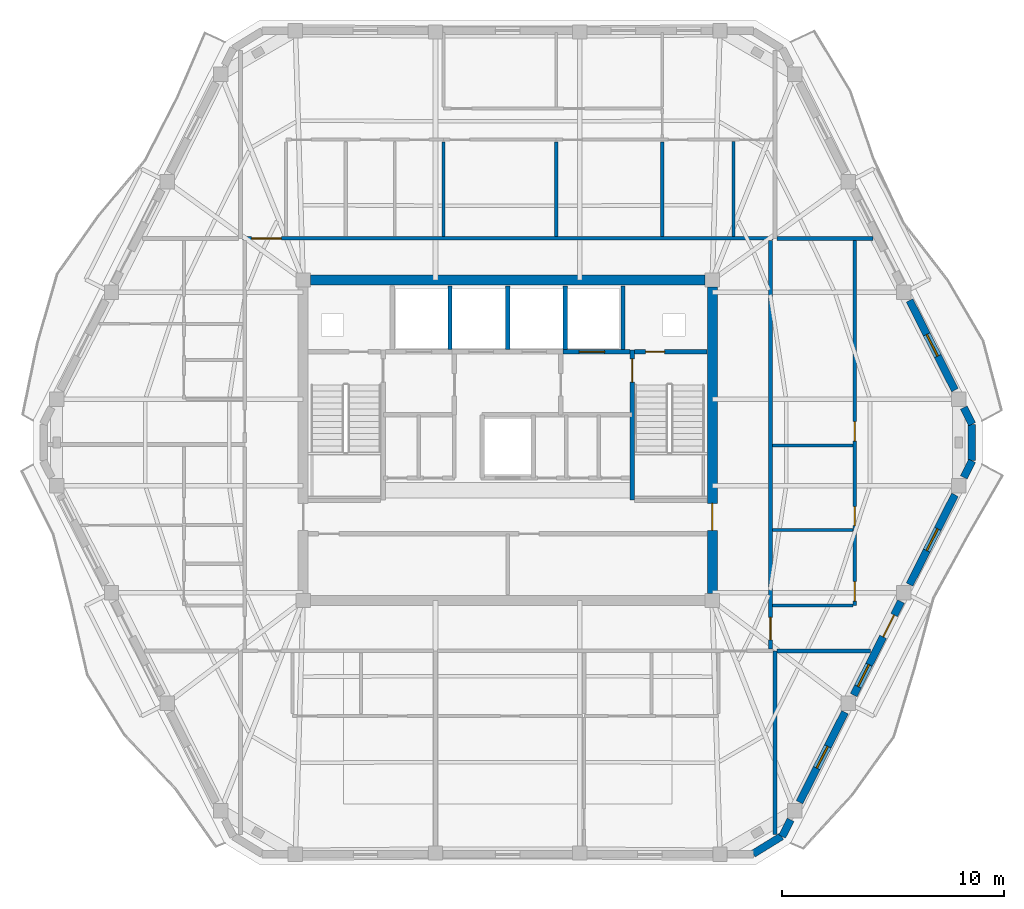
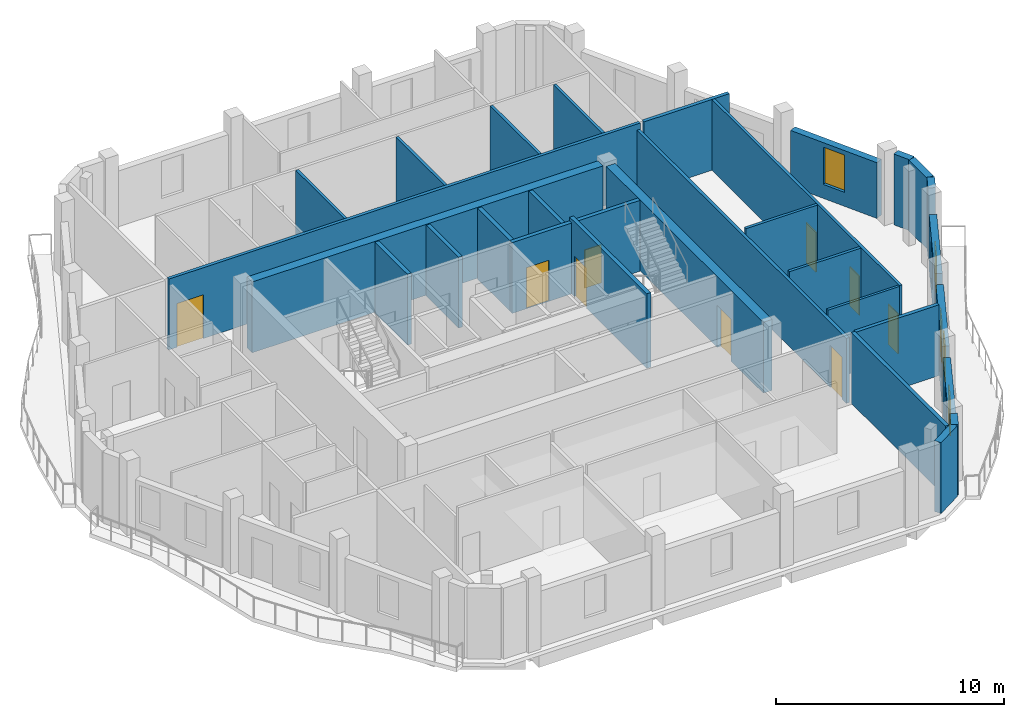
# One storey, part 6 of 11: 31 walls, 10 doors, 4 windows, 14 openings.
"""IFC4 building model written with IfcOpenShell, lengths in metres."""

from ifc_helpers import new_model, si_unit, direction, frame, frame_2d, origin, place, context, subcontext, project, spatial, rectangle, extrude, material, layer, layer_set, type_object, element, fill, save


model = new_model("IFC4")

# Units and contexts
model_context = context("Model", 3, precision=1e-05, world=origin(), true_north=direction((0.0, 1.0)))
body_context = subcontext(model_context, "Body", "Model", "MODEL_VIEW")
ifc_project = project(units=[si_unit("LENGTHUNIT", "METRE"), si_unit("AREAUNIT", "SQUARE_METRE"), si_unit("VOLUMEUNIT", "CUBIC_METRE"), si_unit("PLANEANGLEUNIT", "RADIAN"), si_unit("MASSUNIT", "GRAM", prefix="KILO")], contexts=[model_context])

# Site, building, storey
site_placement = place(None, origin())
site = spatial("IfcSite", under=ifc_project, at=site_placement, CompositionType="ELEMENT")
building_placement = place(site_placement, origin())
building = spatial("IfcBuilding", under=site, at=building_placement, Name="Cinnabar Lancet Tower", CompositionType="ELEMENT")
storey_placement = place(building_placement, frame((0.0, 0.0, 283.5)))
storey = spatial("IfcBuildingStorey", under=building, at=storey_placement, Name="L75", CompositionType="ELEMENT", Elevation=283.5)

# Wall, opening, door
ifc_material_1 = material(Name="Acoustic twin-stud gypsum partition", Category="gypsum")
ifc_layer_1 = layer(ifc_material_1, 0.159912109375)
ifc_layer_set_1 = layer_set([ifc_layer_1], Name="Acoustic twin-stud gypsum partition")
wall_type_1 = type_object("IfcWallType", Name="ARC-WL-CORR-160", PredefinedType="PARTITIONING", material=ifc_layer_set_1)
wall_1_placement = place(storey_placement, frame((20.445068359375, 35.0, 0.0), z_axis=(0.0, 0.0, 1.0), x_axis=(1.0, 0.0, 0.0)))
wall_1 = element("IfcWall", 1, at=wall_1_placement, inside=storey, type_object=wall_type_1, Name="L75 Unit N01 Corridor Wall", PredefinedType="PARTITIONING", context=body_context, shape_type="SweptSolid", body=[
    extrude(rectangle(XDim=23.909912109375, YDim=0.159912109375, at=frame_2d((11.955078125, 0.0))), origin(), (0.0, 0.0, 1.0), 3.800048828125),
])
opening_1_placement = place(wall_1_placement, frame((0.405029296875, 0.0, 0.0)))
opening_1 = element("IfcOpeningElement", 2, at=opening_1_placement, cuts=wall_1, Name="Opening UD-02", PredefinedType="OPENING", context=body_context, shape_type="SweptSolid", body=[
    extrude(rectangle(XDim=1.35009765625, YDim=2.35009765625, at=frame_2d((0.675048828125, 1.175048828125))), frame((0.0, 0.08984375, 0.0), z_axis=(0.0, -1.0, 0.0), x_axis=(1.0, 0.0, 0.0)), (0.0, 0.0, 1.0), 0.179931640625),
])
ifc_material_2 = material(Name="Double-leaf solid timber penthouse entrance door", Category="wood")
door_type_1 = type_object("IfcDoorType", Name="ARC-DR-UNIT-PH", OperationType="NOTDEFINED", PredefinedType="DOOR", material=ifc_material_2)
door_1_placement = place(opening_1_placement, origin())
door_1 = element("IfcDoor", 3, at=door_1_placement, inside=storey, type_object=door_type_1, Name="DR-L75-N01-ENT", OperationType="SINGLE_SWING_RIGHT", OverallHeight=2.35009765625, OverallWidth=1.35009765625, PredefinedType="DOOR", context=body_context, shape_type="SweptSolid", body=[
    extrude(rectangle(XDim=1.35009765625, YDim=2.35009765625, at=frame_2d((0.675048828125, 1.175048828125))), frame((0.0, 0.02490234375, 0.0), z_axis=(0.0, -1.0, 0.0), x_axis=(1.0, 0.0, 0.0)), (0.0, 0.0, 1.0), 0.050048828125),
])
fill(opening_1, door_1)

wall_2_placement = place(storey_placement, frame((44.25, 16.4951171875, 0.0), z_axis=(0.0, 0.0, 1.0), x_axis=(0.0, 1.0, 0.0)))
wall_2 = element("IfcWall", 4, at=wall_2_placement, inside=storey, type_object=wall_type_1, Name="UW-L75-E01-COR", PredefinedType="PARTITIONING", context=body_context, shape_type="SweptSolid", body=[
    extrude(rectangle(XDim=18.409912109375, YDim=0.159912109375, at=frame_2d((9.205078125, 0.0))), origin(), (0.0, 0.0, 1.0), 3.487060546875),
])
opening_2_placement = place(wall_2_placement, frame((0.39990234375, 0.0, 0.0)))
opening_2 = element("IfcOpeningElement", 5, at=opening_2_placement, cuts=wall_2, Name="Opening UD-01", PredefinedType="OPENING", context=body_context, shape_type="SweptSolid", body=[
    extrude(rectangle(XDim=1.02001953125, YDim=2.25, at=frame_2d((0.510009765625, 1.125))), frame((0.0, 0.08984375, 0.0), z_axis=(0.0, -1.0, 0.0), x_axis=(1.0, 0.0, 0.0)), (0.0, 0.0, 1.0), 0.179931640625),
])
ifc_material_3 = material(Name="Solid timber fire-rated apartment entrance door", Category="wood")
door_type_2 = type_object("IfcDoorType", Name="ARC-DR-UNIT", OperationType="NOTDEFINED", PredefinedType="DOOR", material=ifc_material_3)
door_2_placement = place(opening_2_placement, origin())
door_2 = element("IfcDoor", 6, at=door_2_placement, inside=storey, type_object=door_type_2, Name="DR-L75-E01-ENT", OperationType="SINGLE_SWING_RIGHT", OverallHeight=2.25, OverallWidth=1.02001953125, PredefinedType="DOOR", context=body_context, shape_type="SweptSolid", body=[
    extrude(rectangle(XDim=1.02001953125, YDim=2.25, at=frame_2d((0.510009765625, 1.125))), frame((0.0, 0.02490234375, 0.0), z_axis=(0.0, -1.0, 0.0), x_axis=(1.0, 0.0, 0.0)), (0.0, 0.0, 1.0), 0.050048828125),
])
fill(opening_2, door_2)

# Walls
ifc_material_4 = material(Name="Fire-rated twin-frame acoustic drywall", Category="gypsum")
ifc_layer_2 = layer(ifc_material_4, 0.179931640625)
ifc_layer_set_2 = layer_set([ifc_layer_2], Name="Fire-rated twin-frame acoustic drywall")
wall_type_2 = type_object("IfcWallType", Name="ARC-WL-PARTY-180", PredefinedType="PARTITIONING", material=ifc_layer_set_2)
wall_3_placement = place(storey_placement, frame((44.449951171875, 8.118896484375, 0.0), z_axis=(0.0, 0.0, 1.0), x_axis=(0.0, 1.0, 0.0)))
element("IfcWall", 7, at=wall_3_placement, inside=storey, type_object=wall_type_2, Name="PW-L75-SPTY-444", PredefinedType="PARTITIONING", context=body_context, shape_type="SweptSolid", body=[
    extrude(rectangle(XDim=8.281005859375, YDim=0.179931640625, at=frame_2d((4.140625, 0.0))), origin(), (0.0, 0.0, 1.0), 3.800048828125),
])
wall_4_placement = place(storey_placement, frame((44.544921875, 16.39990234375, 0.0), z_axis=(0.0, 0.0, 1.0), x_axis=(1.0, 0.0, 0.0)))
element("IfcWall", 8, at=wall_4_placement, inside=storey, type_object=wall_type_2, Name="PW-L75-ESB", PredefinedType="PARTITIONING", context=body_context, shape_type="SweptSolid", body=[
    extrude(rectangle(XDim=4.22119140625, YDim=0.179931640625, at=frame_2d((2.110595703125, 0.0))), origin(), (0.0, 0.0, 1.0), 3.800048828125),
])
wall_5_placement = place(storey_placement, frame((44.544921875, 35.0, 0.0), z_axis=(0.0, 0.0, 1.0), x_axis=(1.0, 0.0, 0.0)))
element("IfcWall", 9, at=wall_5_placement, inside=storey, type_object=wall_type_2, Name="PW-L75-ENB", PredefinedType="PARTITIONING", context=body_context, shape_type="SweptSolid", body=[
    extrude(rectangle(XDim=4.322021484375, YDim=0.179931640625, at=frame_2d((2.1611328125, 0.0))), origin(), (0.0, 0.0, 1.0), 3.800048828125),
])

# Wall, opening, door
ifc_material_5 = material(Name="Autoclaved aerated concrete blockwork", Category="masonry")
ifc_layer_3 = layer(ifc_material_5, 0.199951171875)
ifc_layer_set_3 = layer_set([ifc_layer_3], Name="Autoclaved aerated concrete blockwork")
wall_type_3 = type_object("IfcWallType", Name="ARC-WL-SHAFT-200", PredefinedType="PLUMBINGWALL", material=ifc_layer_set_3)
wall_6_placement = place(storey_placement, frame((34.89990234375, 29.89990234375, 0.0), z_axis=(0.0, 0.0, 1.0), x_axis=(1.0, 0.0, 0.0)))
wall_6 = element("IfcWall", 10, at=wall_6_placement, inside=storey, type_object=wall_type_3, Name="CW-FL2-L75", PredefinedType="PLUMBINGWALL", context=body_context, shape_type="SweptSolid", body=[
    extrude(rectangle(XDim=3.01513671875, YDim=0.199951171875, at=frame_2d((1.507568359375, 0.0))), origin(), (0.0, 0.0, 1.0), 3.800048828125),
])
opening_3_placement = place(wall_6_placement, frame((0.72509765625, 0.0, 0.0)))
opening_3 = element("IfcOpeningElement", 11, at=opening_3_placement, cuts=wall_6, Name="Opening LD-02", PredefinedType="OPENING", context=body_context, shape_type="SweptSolid", body=[
    extrude(rectangle(XDim=1.14990234375, YDim=2.199951171875, at=frame_2d((0.574951171875, 1.10009765625))), frame((0.0, 0.10986328125, 0.0), z_axis=(0.0, -1.0, 0.0), x_axis=(1.0, 0.0, 0.0)), (0.0, 0.0, 1.0), 0.219970703125),
])
ifc_material_6 = material(Name="Fire-rated stainless steel firefighting lift landing door", Category="steel")
door_type_3 = type_object("IfcDoorType", Name="ARC-DR-LD-FIRE", OperationType="NOTDEFINED", PredefinedType="DOOR", material=ifc_material_6)
door_3_placement = place(opening_3_placement, origin())
door_3 = element("IfcDoor", 12, at=door_3_placement, inside=storey, type_object=door_type_3, Name="L75 Firefighting Lift FL-2 Landing Door", OperationType="DOUBLE_DOOR_SLIDING", OverallHeight=2.199951171875, OverallWidth=1.14990234375, PredefinedType="DOOR", context=body_context, shape_type="SweptSolid", body=[
    extrude(rectangle(XDim=1.14990234375, YDim=2.199951171875, at=frame_2d((0.574951171875, 1.10009765625))), frame((0.0, 0.02490234375, 0.0), z_axis=(0.0, -1.0, 0.0), x_axis=(1.0, 0.0, 0.0)), (0.0, 0.0, 1.0), 0.050048828125),
])
fill(opening_3, door_3)

wall_7_placement = place(storey_placement, frame((38.125, 29.89990234375, 0.0), z_axis=(0.0, 0.0, 1.0), x_axis=(1.0, 0.0, 0.0)))
wall_7 = element("IfcWall", 13, at=wall_7_placement, inside=storey, type_object=wall_type_3, Name="CW-NSH-E-L75", PredefinedType="PLUMBINGWALL", context=body_context, shape_type="SweptSolid", body=[
    extrude(rectangle(XDim=3.27001953125, YDim=0.199951171875, at=frame_2d((1.635009765625, 0.0))), origin(), (0.0, 0.0, 1.0), 3.800048828125),
])
opening_4_placement = place(wall_7_placement, frame((0.5, 0.0, 0.0)))
opening_4 = element("IfcOpeningElement", 14, at=opening_4_placement, cuts=wall_7, Name="Opening PD-02", PredefinedType="OPENING", context=body_context, shape_type="SweptSolid", body=[
    extrude(rectangle(XDim=0.85009765625, YDim=2.050048828125, at=frame_2d((0.425048828125, 1.02490234375))), frame((0.0, 0.10986328125, 0.0), z_axis=(0.0, -1.0, 0.0), x_axis=(1.0, 0.0, 0.0)), (0.0, 0.0, 1.0), 0.219970703125),
])
ifc_material_7 = material(Name="Fire-rated steel riser access door", Category="steel")
door_type_4 = type_object("IfcDoorType", Name="ARC-DR-RISER", OperationType="NOTDEFINED", PredefinedType="DOOR", material=ifc_material_7)
door_4_placement = place(opening_4_placement, origin())
door_4 = element("IfcDoor", 15, at=door_4_placement, inside=storey, type_object=door_type_4, Name="L75 East Riser Access Door", OperationType="SINGLE_SWING_RIGHT", OverallHeight=2.050048828125, OverallWidth=0.85009765625, PredefinedType="DOOR", context=body_context, shape_type="SweptSolid", body=[
    extrude(rectangle(XDim=0.85009765625, YDim=2.050048828125, at=frame_2d((0.425048828125, 1.02490234375))), frame((0.0, 0.02490234375, 0.0), z_axis=(0.0, -1.0, 0.0), x_axis=(1.0, 0.0, 0.0)), (0.0, 0.0, 1.0), 0.050048828125),
])
fill(opening_4, door_4)

# Walls
for number, where, z_axis, x_axis, name in (
    (16, (29.800048828125, 30.0, 0.0), (0.0, 0.0, 1.0), (0.0, 1.0, 0.0), "CW-NSH-D2-L75"),
    (17, (32.39990234375, 30.0, 0.0), (0.0, 0.0, 1.0), (0.0, 1.0, 0.0), "CW-NSH-D3-L75"),
    (18, (35.0, 30.0, 0.0), (0.0, 0.0, 1.0), (0.0, 1.0, 0.0), "CW-NSH-D4-L75"),
    (19, (37.60009765625, 30.0, 0.0), (0.0, 0.0, 1.0), (0.0, 1.0, 0.0), "CW-NSH-D5-L75"),
):
    element("IfcWall", number, at=place(storey_placement, frame(where, z_axis=z_axis, x_axis=x_axis)), inside=storey, type_object=wall_type_3, Name=name, PredefinedType="PLUMBINGWALL", context=body_context, shape_type="SweptSolid", body=[
        extrude(rectangle(XDim=2.85009765625, YDim=0.199951171875, at=frame_2d((1.425048828125, 0.0))), origin(), (0.0, 0.0, 1.0), 3.800048828125),
    ])
ifc_material_8 = material(Name="Gypsum plasterboard stud partition", Category="gypsum")
ifc_layer_4 = layer(ifc_material_8, 0.125)
ifc_layer_set_4 = layer_set([ifc_layer_4], Name="Gypsum plasterboard stud partition")
wall_type_4 = type_object("IfcWallType", Name="ARC-WL-UNIT-125", PredefinedType="PARTITIONING", material=ifc_layer_set_4)
wall_8_placement = place(storey_placement, frame((44.3349609375, 18.449951171875, 0.0), z_axis=(0.0, 0.0, 1.0), x_axis=(1.0, 0.0, 0.0)))
element("IfcWall", 20, at=wall_8_placement, inside=storey, type_object=wall_type_4, Name="UW-L75-E01-FOYN", PredefinedType="PARTITIONING", context=body_context, shape_type="SweptSolid", body=[
    extrude(rectangle(XDim=3.630126953125, YDim=0.125, at=frame_2d((1.81494140625, 0.0))), origin(), (0.0, 0.0, 1.0), 3.800048828125),
])
ifc_material_9 = material(Name="Moisture-resistant cement-board plumbing wall", Category="masonry")
ifc_layer_5 = layer(ifc_material_9, 0.139892578125)
ifc_layer_set_5 = layer_set([ifc_layer_5], Name="Moisture-resistant cement-board plumbing wall")
wall_type_5 = type_object("IfcWallType", Name="ARC-WL-WET-140", PredefinedType="PLUMBINGWALL", material=ifc_layer_set_5)
for number, where, z_axis, x_axis, name in (
    (21, (29.508056640625, 35.0849609375, 0.0), (0.0, 0.0, 1.0), (0.0, 1.0, 0.0), "UW-L75-N01-ENSW"),
    (22, (34.587890625, 35.0849609375, 0.0), (0.0, 0.0, 1.0), (0.0, 1.0, 0.0), "UW-L75-N01-ENSE"),
    (23, (39.3701171875, 35.0849609375, 0.0), (0.0, 0.0, 1.0), (0.0, 1.0, 0.0), "UW-L75-N01-UT3"),
):
    element("IfcWall", number, at=place(storey_placement, frame(where, z_axis=z_axis, x_axis=x_axis)), inside=storey, type_object=wall_type_5, Name=name, PredefinedType="PLUMBINGWALL", context=body_context, shape_type="SweptSolid", body=[
        extrude(rectangle(XDim=4.26806640625, YDim=0.139892578125, at=frame_2d((2.134033203125, 0.0))), origin(), (0.0, 0.0, 1.0), 3.800048828125),
    ])
wall_9_placement = place(storey_placement, frame((42.5810546875, 35.0849609375, 0.0), z_axis=(0.0, 0.0, 1.0), x_axis=(0.0, 1.0, 0.0)))
element("IfcWall", 24, at=wall_9_placement, inside=storey, type_object=wall_type_5, Name="UW-L75-N01-ENS-WDV", PredefinedType="PLUMBINGWALL", context=body_context, shape_type="SweptSolid", body=[
    extrude(rectangle(XDim=4.2880859375, YDim=0.139892578125, at=frame_2d((2.14404296875, 0.0))), origin(), (0.0, 0.0, 1.0), 3.800048828125),
])

# Wall, openings, doors
wall_10_placement = place(storey_placement, frame((48.050048828125, 18.449951171875, 0.0), z_axis=(0.0, 0.0, 1.0), x_axis=(0.0, 1.0, 0.0)))
wall_10 = element("IfcWall", 25, at=wall_10_placement, inside=storey, type_object=wall_type_5, Name="UW-L75-E01-SPL", PredefinedType="PLUMBINGWALL", context=body_context, shape_type="SweptSolid", body=[
    extrude(rectangle(XDim=16.455078125, YDim=0.139892578125, at=frame_2d((8.2275390625, 0.0))), origin(), (0.0, 0.0, 1.0), 3.800048828125),
])
opening_5_placement = place(wall_10_placement, frame((3.60009765625, 0.0, 0.0)))
opening_5 = element("IfcOpeningElement", 26, at=opening_5_placement, cuts=wall_10, Name="Opening BD-01", PredefinedType="OPENING", context=body_context, shape_type="SweptSolid", body=[
    extrude(rectangle(XDim=0.860107421875, YDim=2.10009765625, at=frame_2d((0.43017578125, 1.050048828125))), frame((0.0, 0.079833984375, 0.0), z_axis=(0.0, -1.0, 0.0), x_axis=(1.0, 0.0, 0.0)), (0.0, 0.0, 1.0), 0.159912109375),
])
opening_6_placement = place(wall_10_placement, frame((7.412109375, 0.0, 0.0)))
opening_6 = element("IfcOpeningElement", 27, at=opening_6_placement, cuts=wall_10, Name="Opening RD-02", PredefinedType="OPENING", context=body_context, shape_type="SweptSolid", body=[
    extrude(rectangle(XDim=0.8798828125, YDim=2.14990234375, at=frame_2d((0.43994140625, 1.074951171875))), frame((0.0, 0.079833984375, 0.0), z_axis=(0.0, -1.0, 0.0), x_axis=(1.0, 0.0, 0.0)), (0.0, 0.0, 1.0), 0.159912109375),
])
opening_7_placement = place(wall_10_placement, frame((0.199951171875, 0.0, 0.0)))
opening_7 = element("IfcOpeningElement", 28, at=opening_7_placement, cuts=wall_10, Name="Opening RD-02", PredefinedType="OPENING", context=body_context, shape_type="SweptSolid", body=[
    extrude(rectangle(XDim=0.8798828125, YDim=2.14990234375, at=frame_2d((0.43994140625, 1.074951171875))), frame((0.0, 0.079833984375, 0.0), z_axis=(0.0, -1.0, 0.0), x_axis=(1.0, 0.0, 0.0)), (0.0, 0.0, 1.0), 0.159912109375),
])
ifc_material_10 = material(Name="Moisture-resistant timber bathroom door", Category="wood")
door_type_5 = type_object("IfcDoorType", Name="ARC-DR-BATH", OperationType="NOTDEFINED", PredefinedType="DOOR", material=ifc_material_10)
door_5_placement = place(opening_5_placement, origin())
door_5 = element("IfcDoor", 29, at=door_5_placement, inside=storey, type_object=door_type_5, Name="DR-L75-E01-BTH", OperationType="SINGLE_SWING_RIGHT", OverallHeight=2.10009765625, OverallWidth=0.860107421875, PredefinedType="DOOR", context=body_context, shape_type="SweptSolid", body=[
    extrude(rectangle(XDim=0.860107421875, YDim=2.10009765625, at=frame_2d((0.43017578125, 1.050048828125))), frame((0.0, 0.02490234375, 0.0), z_axis=(0.0, -1.0, 0.0), x_axis=(1.0, 0.0, 0.0)), (0.0, 0.0, 1.0), 0.050048828125),
])
fill(opening_5, door_5)
ifc_material_11 = material(Name="Engineered timber study door", Category="wood")
door_type_6 = type_object("IfcDoorType", Name="ARC-DR-STUDY", OperationType="NOTDEFINED", PredefinedType="DOOR", material=ifc_material_11)
door_6_placement = place(opening_6_placement, origin())
door_6 = element("IfcDoor", 30, at=door_6_placement, inside=storey, type_object=door_type_6, Name="DR-L75-E01-WDR", OperationType="SINGLE_SWING_LEFT", OverallHeight=2.14990234375, OverallWidth=0.8798828125, PredefinedType="DOOR", context=body_context, shape_type="SweptSolid", body=[
    extrude(rectangle(XDim=0.8798828125, YDim=2.14990234375, at=frame_2d((0.43994140625, 1.074951171875))), frame((0.0, 0.02490234375, 0.0), z_axis=(0.0, -1.0, 0.0), x_axis=(1.0, 0.0, 0.0)), (0.0, 0.0, 1.0), 0.050048828125),
])
fill(opening_6, door_6)
door_7_placement = place(opening_7_placement, origin())
door_7 = element("IfcDoor", 31, at=door_7_placement, inside=storey, type_object=door_type_6, Name="DR-L75-E01-KIT", OperationType="SINGLE_SWING_LEFT", OverallHeight=2.14990234375, OverallWidth=0.8798828125, PredefinedType="DOOR", context=body_context, shape_type="SweptSolid", body=[
    extrude(rectangle(XDim=0.8798828125, YDim=2.14990234375, at=frame_2d((0.43994140625, 1.074951171875))), frame((0.0, 0.02490234375, 0.0), z_axis=(0.0, -1.0, 0.0), x_axis=(1.0, 0.0, 0.0)), (0.0, 0.0, 1.0), 0.050048828125),
])
fill(opening_7, door_7)

# Walls
for number, where, z_axis, x_axis, name in (
    (32, (44.3349609375, 21.85009765625, 0.0), (0.0, 0.0, 1.0), (1.0, 0.0, 0.0), "UW-L75-E01-KDV"),
    (33, (44.3349609375, 25.662109375, 0.0), (0.0, 0.0, 1.0), (1.0, 0.0, 0.0), "UW-L75-E01-BWDV"),
):
    element("IfcWall", number, at=place(storey_placement, frame(where, z_axis=z_axis, x_axis=x_axis)), inside=storey, type_object=wall_type_5, Name=name, PredefinedType="PLUMBINGWALL", context=body_context, shape_type="SweptSolid", body=[
        extrude(rectangle(XDim=3.630126953125, YDim=0.139892578125, at=frame_2d((1.81494140625, 0.0))), origin(), (0.0, 0.0, 1.0), 3.800048828125),
    ])
ifc_material_12 = material(Name="Cinnabar red clay brick", Category="masonry")
ifc_layer_6 = layer(ifc_material_12, 0.340087890625)
ifc_layer_set_6 = layer_set([ifc_layer_6], Name="Cinnabar red clay brick")
wall_type_6 = type_object("IfcWallType", Name="ENV-WL-BRK-RED-340", PredefinedType="STANDARD", material=ifc_layer_set_6)
wall_11_placement = place(storey_placement, frame((43.468994140625, 7.2548828125, 0.0), z_axis=(0.0, 0.0, 1.0), x_axis=(0.851680557619, 0.52406128246, 0.0)))
element("IfcWall", 34, at=wall_11_placement, inside=storey, type_object=wall_type_6, Name="L75 Chamfered Corner Brick Pier 2.1", PredefinedType="STANDARD", context=body_context, shape_type="SweptSolid", body=[
    extrude(rectangle(XDim=1.507568359375, YDim=0.340087890625, at=frame_2d((0.75390625, 0.0))), origin(), (0.0, 0.0, 1.0), 3.800048828125),
])
wall_12_placement = place(storey_placement, frame((53.322998046875, 24.97998046875, 0.0), z_axis=(0.0, 0.0, 1.0), x_axis=(0.0, 1.0, 0.0)))
element("IfcWall", 35, at=wall_12_placement, inside=storey, type_object=wall_type_6, Name="L75 Chamfered Corner Brick Pier 3.1", PredefinedType="STANDARD", context=body_context, shape_type="SweptSolid", body=[
    extrude(rectangle(XDim=1.64013671875, YDim=0.340087890625, at=frame_2d((0.820068359375, 0.0))), origin(), (0.0, 0.0, 1.0), 3.800048828125),
])
wall_13_placement = place(storey_placement, frame((44.77294921875, 8.029052734375, 0.0), z_axis=(0.0, 0.0, 1.0), x_axis=(0.451907025977, 0.8920650424, 0.0)))
element("IfcWall", 36, at=wall_13_placement, inside=storey, type_object=wall_type_6, Name="L75 Face 2 Masonry Bay Wall 1", PredefinedType="STANDARD", context=body_context, shape_type="SweptSolid", body=[
    extrude(rectangle(XDim=0.85205078125, YDim=0.340087890625, at=frame_2d((0.426025390625, 0.0))), origin(), (0.0, 0.0, 1.0), 3.800048828125),
])

# Wall, opening, window
wall_14_placement = place(storey_placement, frame((45.555908203125, 9.576904296875, 0.0), z_axis=(0.0, 0.0, 1.0), x_axis=(0.45154039276, 0.892250678737, 0.0)))
wall_14 = element("IfcWall", 37, at=wall_14_placement, inside=storey, type_object=wall_type_6, Name="L75 Face 2 Masonry Bay Wall 2", PredefinedType="STANDARD", context=body_context, shape_type="SweptSolid", body=[
    extrude(rectangle(XDim=4.5537109375, YDim=0.340087890625, at=frame_2d((2.27685546875, 0.0))), origin(), (0.0, 0.0, 1.0), 2.989990234375),
])
opening_8_placement = place(wall_14_placement, frame((1.72705078125, 0.0, 0.75)))
opening_8 = element("IfcOpeningElement", 38, at=opening_8_placement, cuts=wall_14, Name="Opening WN-04", PredefinedType="OPENING", context=body_context, shape_type="SweptSolid", body=[
    extrude(rectangle(XDim=1.10009765625, YDim=2.0, at=frame_2d((0.550048828125, 1.0))), frame((0.0, 0.179931640625, 0.0), z_axis=(0.0, -1.0, 0.0), x_axis=(1.0, 0.0, 0.0)), (0.0, 0.0, 1.0), 0.360107421875),
])
ifc_material_13 = material(Name="Thermally broken bronze-anodized aluminium tall lancet window", Category="aluminium")
window_type = type_object("IfcWindowType", Name="ENV-WN-LANCET-1100", PartitioningType="SINGLE_PANEL", PredefinedType="WINDOW", material=ifc_material_13)
window_1_placement = place(opening_8_placement, origin())
window_1 = element("IfcWindow", 39, at=window_1_placement, inside=storey, type_object=window_type, Name="L75 Face 2 Gothic Lancet Window 2", OverallHeight=2.0, OverallWidth=1.10009765625, PartitioningType="SINGLE_PANEL", PredefinedType="WINDOW", context=body_context, shape_type="SweptSolid", body=[
    extrude(rectangle(XDim=1.10009765625, YDim=2.0, at=frame_2d((0.550048828125, 1.0))), frame((0.0, 0.030029296875, 0.0), z_axis=(0.0, -1.0, 0.0), x_axis=(1.0, 0.0, 0.0)), (0.0, 0.0, 1.0), 0.06005859375),
])
fill(opening_8, window_1)

# Wall, openings, door, window
wall_15_placement = place(storey_placement, frame((48.001953125, 14.4130859375, 0.0), z_axis=(0.0, 0.0, 1.0), x_axis=(0.451468341582, 0.892287137949, 0.0)))
wall_15 = element("IfcWall", 40, at=wall_15_placement, inside=storey, type_object=wall_type_6, Name="L75 Face 2 Masonry Bay Wall 3", PredefinedType="STANDARD", context=body_context, shape_type="SweptSolid", body=[
    extrude(rectangle(XDim=4.72265625, YDim=0.340087890625, at=frame_2d((2.361328125, 0.0))), origin(), (0.0, 0.0, 1.0), 2.989990234375),
])
opening_9_placement = place(wall_15_placement, frame((2.94091796875, 0.0, 0.0)))
opening_9 = element("IfcOpeningElement", 41, at=opening_9_placement, cuts=wall_15, Name="Opening TD-01", PredefinedType="OPENING", context=body_context, shape_type="SweptSolid", body=[
    extrude(rectangle(XDim=1.10009765625, YDim=2.25, at=frame_2d((0.550048828125, 1.125))), frame((0.0, 0.179931640625, 0.0), z_axis=(0.0, -1.0, 0.0), x_axis=(1.0, 0.0, 0.0)), (0.0, 0.0, 1.0), 0.360107421875),
])
opening_10_placement = place(wall_15_placement, frame((0.43408203125, 0.0, 0.75)))
opening_10 = element("IfcOpeningElement", 42, at=opening_10_placement, cuts=wall_15, Name="Opening WN-04", PredefinedType="OPENING", context=body_context, shape_type="SweptSolid", body=[
    extrude(rectangle(XDim=1.10009765625, YDim=2.0, at=frame_2d((0.550048828125, 1.0))), frame((0.0, 0.179931640625, 0.0), z_axis=(0.0, -1.0, 0.0), x_axis=(1.0, 0.0, 0.0)), (0.0, 0.0, 1.0), 0.360107421875),
])
ifc_material_14 = material(Name="Thermally broken low-E glazed balcony terrace door", Category="wood")
door_type_7 = type_object("IfcDoorType", Name="ARC-DR-BALC", OperationType="NOTDEFINED", PredefinedType="DOOR", material=ifc_material_14)
door_8_placement = place(opening_9_placement, origin())
door_8 = element("IfcDoor", 43, at=door_8_placement, inside=storey, type_object=door_type_7, Name="L75 Face 2 Glazed Terrace Door", OperationType="SINGLE_SWING_LEFT", OverallHeight=2.25, OverallWidth=1.10009765625, PredefinedType="DOOR", context=body_context, shape_type="SweptSolid", body=[
    extrude(rectangle(XDim=1.10009765625, YDim=2.25, at=frame_2d((0.550048828125, 1.125))), frame((0.0, 0.02490234375, 0.0), z_axis=(0.0, -1.0, 0.0), x_axis=(1.0, 0.0, 0.0)), (0.0, 0.0, 1.0), 0.050048828125),
])
fill(opening_9, door_8)
window_2_placement = place(opening_10_placement, origin())
window_2 = element("IfcWindow", 44, at=window_2_placement, inside=storey, type_object=window_type, Name="L75 Split-Bay Gothic Lancet Window 277", OverallHeight=2.0, OverallWidth=1.10009765625, PartitioningType="SINGLE_PANEL", PredefinedType="WINDOW", context=body_context, shape_type="SweptSolid", body=[
    extrude(rectangle(XDim=1.10009765625, YDim=2.0, at=frame_2d((0.550048828125, 1.0))), frame((0.0, 0.030029296875, 0.0), z_axis=(0.0, -1.0, 0.0), x_axis=(1.0, 0.0, 0.0)), (0.0, 0.0, 1.0), 0.06005859375),
])
fill(opening_10, window_2)

# Wall, opening, window
wall_16_placement = place(storey_placement, frame((50.52294921875, 19.39697265625, 0.0), z_axis=(0.0, 0.0, 1.0), x_axis=(0.45147697324, 0.892282770558, 0.0)))
wall_16 = element("IfcWall", 45, at=wall_16_placement, inside=storey, type_object=wall_type_6, Name="L75 Face 2 Masonry Bay Wall 4", PredefinedType="STANDARD", context=body_context, shape_type="SweptSolid", body=[
    extrude(rectangle(XDim=4.530029296875, YDim=0.340087890625, at=frame_2d((2.26513671875, 0.0))), origin(), (0.0, 0.0, 1.0), 2.989990234375),
])
opening_11_placement = place(wall_16_placement, frame((1.715087890625, 0.0, 0.75)))
opening_11 = element("IfcOpeningElement", 46, at=opening_11_placement, cuts=wall_16, Name="Opening WN-04", PredefinedType="OPENING", context=body_context, shape_type="SweptSolid", body=[
    extrude(rectangle(XDim=1.10009765625, YDim=2.0, at=frame_2d((0.550048828125, 1.0))), frame((0.0, 0.179931640625, 0.0), z_axis=(0.0, -1.0, 0.0), x_axis=(1.0, 0.0, 0.0)), (0.0, 0.0, 1.0), 0.360107421875),
])
window_3_placement = place(opening_11_placement, origin())
window_3 = element("IfcWindow", 47, at=window_3_placement, inside=storey, type_object=window_type, Name="L75 Face 2 Gothic Lancet Window 4", OverallHeight=2.0, OverallWidth=1.10009765625, PartitioningType="SINGLE_PANEL", PredefinedType="WINDOW", context=body_context, shape_type="SweptSolid", body=[
    extrude(rectangle(XDim=1.10009765625, YDim=2.0, at=frame_2d((0.550048828125, 1.0))), frame((0.0, 0.030029296875, 0.0), z_axis=(0.0, -1.0, 0.0), x_axis=(1.0, 0.0, 0.0)), (0.0, 0.0, 1.0), 0.06005859375),
])
fill(opening_11, window_3)

# Walls
wall_17_placement = place(storey_placement, frame((52.965087890625, 24.22412109375, 0.0), z_axis=(0.0, 0.0, 1.0), x_axis=(0.4515140893, 0.892263989615, 0.0)))
element("IfcWall", 48, at=wall_17_placement, inside=storey, type_object=wall_type_6, Name="L75 Face 2 Masonry Bay Wall 5", PredefinedType="STANDARD", context=body_context, shape_type="SweptSolid", body=[
    extrude(rectangle(XDim=0.839111328125, YDim=0.340087890625, at=frame_2d((0.41943359375, 0.0))), origin(), (0.0, 0.0, 1.0), 3.800048828125),
])
wall_18_placement = place(storey_placement, frame((53.343994140625, 26.626953125, 0.0), z_axis=(0.0, 0.0, 1.0), x_axis=(-0.45139691133, 0.892323275748, 0.0)))
element("IfcWall", 49, at=wall_18_placement, inside=storey, type_object=wall_type_6, Name="L75 Face 3 Masonry Bay Wall 1", PredefinedType="STANDARD", context=body_context, shape_type="SweptSolid", body=[
    extrude(rectangle(XDim=0.83935546875, YDim=0.340087890625, at=frame_2d((0.419677734375, 0.0))), origin(), (0.0, 0.0, 1.0), 3.800048828125),
])

# Wall, opening, window
wall_19_placement = place(storey_placement, frame((52.568115234375, 28.160888671875, 0.0), z_axis=(0.0, 0.0, 1.0), x_axis=(-0.45147697324, 0.892282770558, 0.0)))
wall_19 = element("IfcWall", 50, at=wall_19_placement, inside=storey, type_object=wall_type_6, Name="L75 Face 3 Masonry Bay Wall 2", PredefinedType="STANDARD", context=body_context, shape_type="SweptSolid", body=[
    extrude(rectangle(XDim=4.530029296875, YDim=0.340087890625, at=frame_2d((2.26513671875, 0.0))), origin(), (0.0, 0.0, 1.0), 2.989990234375),
])
opening_12_placement = place(wall_19_placement, frame((1.715087890625, 0.0, 0.75)))
opening_12 = element("IfcOpeningElement", 51, at=opening_12_placement, cuts=wall_19, Name="Opening WN-04", PredefinedType="OPENING", context=body_context, shape_type="SweptSolid", body=[
    extrude(rectangle(XDim=1.10009765625, YDim=2.0, at=frame_2d((0.550048828125, 1.0))), frame((0.0, 0.179931640625, 0.0), z_axis=(0.0, -1.0, 0.0), x_axis=(1.0, 0.0, 0.0)), (0.0, 0.0, 1.0), 0.360107421875),
])
window_4_placement = place(opening_12_placement, origin())
window_4 = element("IfcWindow", 52, at=window_4_placement, inside=storey, type_object=window_type, Name="L75 Face 3 Gothic Lancet Window 2", OverallHeight=2.0, OverallWidth=1.10009765625, PartitioningType="SINGLE_PANEL", PredefinedType="WINDOW", context=body_context, shape_type="SweptSolid", body=[
    extrude(rectangle(XDim=1.10009765625, YDim=2.0, at=frame_2d((0.550048828125, 1.0))), frame((0.0, 0.030029296875, 0.0), z_axis=(0.0, -1.0, 0.0), x_axis=(1.0, 0.0, 0.0)), (0.0, 0.0, 1.0), 0.06005859375),
])
fill(opening_12, window_4)

# Wall
ifc_material_15 = material(Name="Concrete C50/60", Category="concrete")
ifc_layer_7 = layer(ifc_material_15, 0.449951171875)
ifc_layer_set_7 = layer_set([ifc_layer_7], Name="Concrete C50/60")
wall_type_7 = type_object("IfcWallType", Name="STR-WL-CORE-450", PredefinedType="SHEAR", material=ifc_layer_set_7)
wall_20_placement = place(storey_placement, frame((23.5, 33.125, 0.0), z_axis=(0.0, 0.0, 1.0), x_axis=(1.0, 0.0, 0.0)))
element("IfcWall", 53, at=wall_20_placement, inside=storey, type_object=wall_type_7, Name="L75 Core Shear Wall N", PredefinedType="SHEAR", context=body_context, shape_type="SweptSolid", body=[
    extrude(rectangle(XDim=17.800048828125, YDim=0.449951171875, at=frame_2d((8.89990234375, 0.0))), origin(), (0.0, 0.0, 1.0), 3.800048828125),
])

# Wall, opening, door
wall_21_placement = place(storey_placement, frame((41.625, 19.0, 0.0), z_axis=(0.0, 0.0, 1.0), x_axis=(0.0, 1.0, 0.0)))
wall_21 = element("IfcWall", 54, at=wall_21_placement, inside=storey, type_object=wall_type_7, Name="L75 Core Shear Wall E", PredefinedType="SHEAR", context=body_context, shape_type="SweptSolid", body=[
    extrude(rectangle(XDim=13.800048828125, YDim=0.449951171875, at=frame_2d((6.89990234375, 0.0))), origin(), (0.0, 0.0, 1.0), 3.800048828125),
])
opening_13_placement = place(wall_21_placement, frame((2.840087890625, 0.0, 0.0)))
opening_13 = element("IfcOpeningElement", 55, at=opening_13_placement, cuts=wall_21, Name="Opening FD-02", PredefinedType="OPENING", context=body_context, shape_type="SweptSolid", body=[
    extrude(rectangle(XDim=1.219970703125, YDim=2.25, at=frame_2d((0.60986328125, 1.125))), frame((0.0, 0.23486328125, 0.0), z_axis=(0.0, -1.0, 0.0), x_axis=(1.0, 0.0, 0.0)), (0.0, 0.0, 1.0), 0.469970703125),
])
ifc_material_16 = material(Name="Fire-rated double-vision core portal door", Category="wood")
door_type_8 = type_object("IfcDoorType", Name="ARC-DR-CPORT", OperationType="NOTDEFINED", PredefinedType="DOOR", material=ifc_material_16)
door_9_placement = place(opening_13_placement, origin())
door_9 = element("IfcDoor", 56, at=door_9_placement, inside=storey, type_object=door_type_8, Name="L75 East Core Lobby Fire Door", OperationType="SINGLE_SWING_LEFT", OverallHeight=2.25, OverallWidth=1.219970703125, PredefinedType="DOOR", context=body_context, shape_type="SweptSolid", body=[
    extrude(rectangle(XDim=1.219970703125, YDim=2.25, at=frame_2d((0.60986328125, 1.125))), frame((0.0, 0.02490234375, 0.0), z_axis=(0.0, -1.0, 0.0), x_axis=(1.0, 0.0, 0.0)), (0.0, 0.0, 1.0), 0.050048828125),
])
fill(opening_13, door_9)

ifc_material_17 = material(Name="Concrete C50/60", Category="concrete")
ifc_layer_8 = layer(ifc_material_17, 0.199951171875)
ifc_layer_set_8 = layer_set([ifc_layer_8], Name="Concrete C50/60")
wall_type_8 = type_object("IfcWallType", Name="STR-WL-STAIR-200", PredefinedType="SHEAR", material=ifc_layer_set_8)
wall_22_placement = place(storey_placement, frame((38.02001953125, 23.199951171875, 0.0), z_axis=(0.0, 0.0, 1.0), x_axis=(0.0, 1.0, 0.0)))
wall_22 = element("IfcWall", 57, at=wall_22_placement, inside=storey, type_object=wall_type_8, Name="L75 Stair ST-2 Structural Enclosure Wall", PredefinedType="SHEAR", context=body_context, shape_type="SweptSolid", body=[
    extrude(rectangle(XDim=6.780029296875, YDim=0.199951171875, at=frame_2d((3.39013671875, 0.0))), origin(), (0.0, 0.0, 1.0), 4.0),
])
opening_14_placement = place(wall_22_placement, frame((5.320068359375, 0.0, 0.0)))
opening_14 = element("IfcOpeningElement", 58, at=opening_14_placement, cuts=wall_22, Name="Opening SD-01", PredefinedType="OPENING", context=body_context, shape_type="SweptSolid", body=[
    extrude(rectangle(XDim=1.050048828125, YDim=2.14990234375, at=frame_2d((0.52490234375, 1.074951171875))), frame((0.0, 0.10986328125, 0.0), z_axis=(0.0, -1.0, 0.0), x_axis=(1.0, 0.0, 0.0)), (0.0, 0.0, 1.0), 0.219970703125),
])
ifc_material_18 = material(Name="Fire-rated steel stair exit door", Category="steel")
door_type_9 = type_object("IfcDoorType", Name="ARC-DR-STAIR", OperationType="NOTDEFINED", PredefinedType="DOOR", material=ifc_material_18)
door_10_placement = place(opening_14_placement, origin())
door_10 = element("IfcDoor", 59, at=door_10_placement, inside=storey, type_object=door_type_9, Name="L75 Stair ST-2 Fire Door", OperationType="SINGLE_SWING_RIGHT", OverallHeight=2.14990234375, OverallWidth=1.050048828125, PredefinedType="DOOR", context=body_context, shape_type="SweptSolid", body=[
    extrude(rectangle(XDim=1.050048828125, YDim=2.14990234375, at=frame_2d((0.52490234375, 1.074951171875))), frame((0.0, 0.02490234375, 0.0), z_axis=(0.0, -1.0, 0.0), x_axis=(1.0, 0.0, 0.0)), (0.0, 0.0, 1.0), 0.050048828125),
])
fill(opening_14, door_10)

save(model, "model.ifc")
